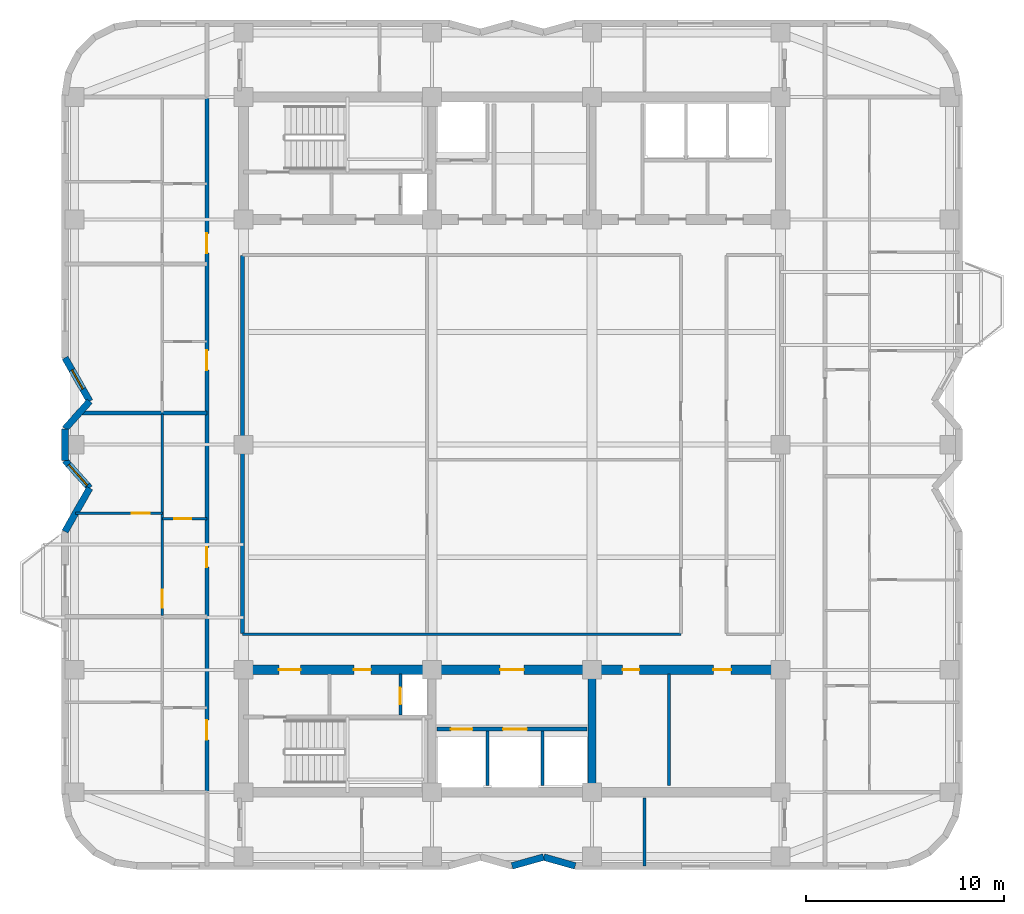
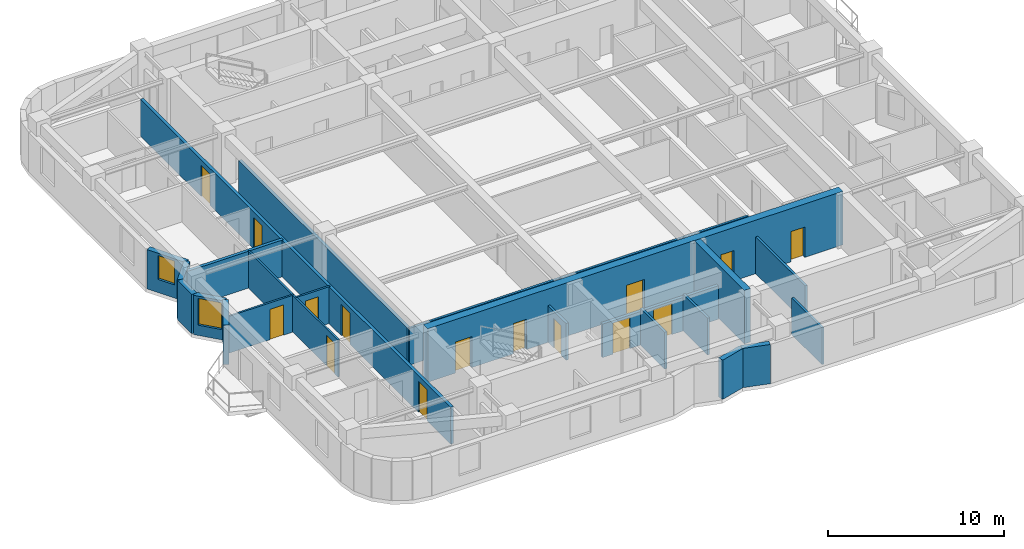
# One storey, part 3 of 9: 22 walls, 15 doors, 2 windows, 17 openings.
"""IFC4 building model written with IfcOpenShell, lengths in metres."""

from ifc_helpers import new_model, si_unit, direction, frame, frame_2d, origin, place, context, subcontext, project, spatial, rectangle, extrude, material, layer, layer_set, type_object, element, fill, save


model = new_model("IFC4")

# Units and contexts
model_context = context("Model", 3, precision=1e-05, world=origin(), true_north=direction((0.0, 1.0)))
body_context = subcontext(model_context, "Body", "Model", "MODEL_VIEW")
ifc_project = project(units=[si_unit("LENGTHUNIT", "METRE"), si_unit("AREAUNIT", "SQUARE_METRE"), si_unit("VOLUMEUNIT", "CUBIC_METRE"), si_unit("PLANEANGLEUNIT", "RADIAN"), si_unit("MASSUNIT", "GRAM", prefix="KILO")], contexts=[model_context])

# Site, building, storey
site_placement = place(None, origin())
site = spatial("IfcSite", under=ifc_project, at=site_placement, CompositionType="ELEMENT")
building_placement = place(site_placement, origin())
building = spatial("IfcBuilding", under=site, at=building_placement, Name="Svetorya Sky Lyceum", CompositionType="ELEMENT")
storey_placement = place(building_placement, frame((0.0, 0.0, 170.0)))
storey = spatial("IfcBuildingStorey", under=building, at=storey_placement, Name="L42", CompositionType="ELEMENT", Elevation=170.0)

# Wall
ifc_material_1 = material(Name="Concrete C40/50", Category="concrete")
ifc_layer_1 = layer(ifc_material_1, 0.39990234375)
ifc_layer_set_1 = layer_set([ifc_layer_1], Name="Concrete C40/50")
wall_type_1 = type_object("IfcWallType", Name="WL-CORE-400", PredefinedType="SHEAR", material=ifc_layer_set_1)
wall_1_placement = place(storey_placement, frame((43.25, 10.85009765625, 0.0), z_axis=(0.0, 0.0, 1.0), x_axis=(0.0, 1.0, 0.0)))
element("IfcWall", 1, at=wall_1_placement, inside=storey, type_object=wall_type_1, Name="L42 SC Internal Shear Web WEB2", PredefinedType="SHEAR", context=body_context, shape_type="SweptSolid", body=[
    extrude(rectangle(XDim=5.699951171875, YDim=0.39990234375, at=frame_2d((2.85009765625, 0.0))), origin(), (0.0, 0.0, 1.0), 3.699951171875),
])

# Wall, openings, doors
ifc_material_2 = material(Name="Concrete C50/60", Category="concrete")
ifc_layer_2 = layer(ifc_material_2, 0.5)
ifc_layer_set_2 = layer_set([ifc_layer_2], Name="Concrete C50/60")
wall_type_2 = type_object("IfcWallType", Name="WL-CORE-500", PredefinedType="SHEAR", material=ifc_layer_set_2)
wall_2_placement = place(storey_placement, frame((25.60009765625, 16.800048828125, 0.0), z_axis=(0.0, 0.0, 1.0), x_axis=(1.0, 0.0, 0.0)))
wall_2 = element("IfcWall", 2, at=wall_2_placement, inside=storey, type_object=wall_type_2, Name="L42 SC Inner Core Shear Wall", PredefinedType="SHEAR", context=body_context, shape_type="SweptSolid", body=[
    extrude(rectangle(XDim=27.199951171875, YDim=0.5, at=frame_2d((13.60009765625, 0.0))), origin(), (0.0, 0.0, 1.0), 3.699951171875),
])
opening_1_placement = place(wall_2_placement, frame((1.800048828125, 0.0, 0.0)))
opening_1 = element("IfcOpeningElement", 3, at=opening_1_placement, cuts=wall_2, Name="Opening D-ST1", PredefinedType="OPENING", context=body_context, shape_type="SweptSolid", body=[
    extrude(rectangle(XDim=1.10009765625, YDim=2.14990234375, at=frame_2d((0.550048828125, 1.074951171875))), frame((0.0, 0.260009765625, 0.0), z_axis=(0.0, -1.0, 0.0), x_axis=(1.0, 0.0, 0.0)), (0.0, 0.0, 1.0), 0.52001953125),
])
opening_2_placement = place(wall_2_placement, frame((5.60009765625, 0.0, 0.0)))
opening_2 = element("IfcOpeningElement", 4, at=opening_2_placement, cuts=wall_2, Name="Opening D-CWC1", PredefinedType="OPENING", context=body_context, shape_type="SweptSolid", body=[
    extrude(rectangle(XDim=0.85009765625, YDim=2.10009765625, at=frame_2d((0.425048828125, 1.050048828125))), frame((0.0, 0.260009765625, 0.0), z_axis=(0.0, -1.0, 0.0), x_axis=(1.0, 0.0, 0.0)), (0.0, 0.0, 1.0), 0.52001953125),
])
opening_3_placement = place(wall_2_placement, frame((13.0, 0.0, 0.0)))
opening_3 = element("IfcOpeningElement", 5, at=opening_3_placement, cuts=wall_2, Name="Opening D-FL1", PredefinedType="OPENING", context=body_context, shape_type="SweptSolid", body=[
    extrude(rectangle(XDim=1.199951171875, YDim=2.14990234375, at=frame_2d((0.60009765625, 1.074951171875))), frame((0.0, 0.260009765625, 0.0), z_axis=(0.0, -1.0, 0.0), x_axis=(1.0, 0.0, 0.0)), (0.0, 0.0, 1.0), 0.52001953125),
])
opening_4_placement = place(wall_2_placement, frame((19.199951171875, 0.0, 0.0)))
opening_4 = element("IfcOpeningElement", 6, at=opening_4_placement, cuts=wall_2, Name="Opening D-CWC1", PredefinedType="OPENING", context=body_context, shape_type="SweptSolid", body=[
    extrude(rectangle(XDim=0.85009765625, YDim=2.10009765625, at=frame_2d((0.425048828125, 1.050048828125))), frame((0.0, 0.260009765625, 0.0), z_axis=(0.0, -1.0, 0.0), x_axis=(1.0, 0.0, 0.0)), (0.0, 0.0, 1.0), 0.52001953125),
])
opening_5_placement = place(wall_2_placement, frame((23.800048828125, 0.0, 0.0)))
opening_5 = element("IfcOpeningElement", 7, at=opening_5_placement, cuts=wall_2, Name="Opening D-RM1", PredefinedType="OPENING", context=body_context, shape_type="SweptSolid", body=[
    extrude(rectangle(XDim=0.89990234375, YDim=2.10009765625, at=frame_2d((0.449951171875, 1.050048828125))), frame((0.0, 0.260009765625, 0.0), z_axis=(0.0, -1.0, 0.0), x_axis=(1.0, 0.0, 0.0)), (0.0, 0.0, 1.0), 0.52001953125),
])
ifc_material_3 = material(Name="Fire-rated galvanized steel core service closet door", Category="steel")
door_type_1 = type_object("IfcDoorType", Name="DR-CWET-850", OperationType="SINGLE_SWING_LEFT", PredefinedType="DOOR", material=ifc_material_3)
door_1_placement = place(opening_2_placement, origin())
door_1 = element("IfcDoor", 8, at=door_1_placement, inside=storey, type_object=door_type_1, Name="L42 South Hydrant Room Door", OperationType="SINGLE_SWING_LEFT", OverallHeight=2.10009765625, OverallWidth=0.85009765625, PredefinedType="DOOR", context=body_context, shape_type="SweptSolid", body=[
    extrude(rectangle(XDim=0.85009765625, YDim=2.10009765625, at=frame_2d((0.425048828125, 1.050048828125))), frame((0.0, 0.02490234375, 0.0), z_axis=(0.0, -1.0, 0.0), x_axis=(1.0, 0.0, 0.0)), (0.0, 0.0, 1.0), 0.050048828125),
])
fill(opening_2, door_1)
door_2_placement = place(opening_4_placement, origin())
door_2 = element("IfcDoor", 9, at=door_2_placement, inside=storey, type_object=door_type_1, Name="L42 Laundry Door", OperationType="SINGLE_SWING_RIGHT", OverallHeight=2.10009765625, OverallWidth=0.85009765625, PredefinedType="DOOR", context=body_context, shape_type="SweptSolid", body=[
    extrude(rectangle(XDim=0.85009765625, YDim=2.10009765625, at=frame_2d((0.425048828125, 1.050048828125))), frame((0.0, 0.02490234375, 0.0), z_axis=(0.0, -1.0, 0.0), x_axis=(1.0, 0.0, 0.0)), (0.0, 0.0, 1.0), 0.050048828125),
])
fill(opening_4, door_2)
ifc_material_4 = material(Name="Powder-coated insulated galvanized stair fire door")
door_type_2 = type_object("IfcDoorType", Name="DR-FIRE-1100", OperationType="SINGLE_SWING_LEFT", PredefinedType="DOOR", material=ifc_material_4)
door_3_placement = place(opening_1_placement, origin())
door_3 = element("IfcDoor", 10, at=door_3_placement, inside=storey, type_object=door_type_2, Name="L42 South Stair Airlock Door", OperationType="SINGLE_SWING_RIGHT", OverallHeight=2.14990234375, OverallWidth=1.10009765625, PredefinedType="DOOR", context=body_context, shape_type="SweptSolid", body=[
    extrude(rectangle(XDim=1.10009765625, YDim=2.14990234375, at=frame_2d((0.550048828125, 1.074951171875))), frame((0.0, 0.02490234375, 0.0), z_axis=(0.0, -1.0, 0.0), x_axis=(1.0, 0.0, 0.0)), (0.0, 0.0, 1.0), 0.050048828125),
])
fill(opening_1, door_3)
ifc_material_5 = material(Name="Powder-coated insulated galvanized fire door")
door_type_3 = type_object("IfcDoorType", Name="DR-FIRE-1200", OperationType="SINGLE_SWING_LEFT", PredefinedType="DOOR", material=ifc_material_5)
door_4_placement = place(opening_3_placement, origin())
door_4 = element("IfcDoor", 11, at=door_4_placement, inside=storey, type_object=door_type_3, Name="L42 South Firefighting Lift Lobby Door", OperationType="SINGLE_SWING_LEFT", OverallHeight=2.14990234375, OverallWidth=1.199951171875, PredefinedType="DOOR", context=body_context, shape_type="SweptSolid", body=[
    extrude(rectangle(XDim=1.199951171875, YDim=2.14990234375, at=frame_2d((0.60009765625, 1.074951171875))), frame((0.0, 0.02490234375, 0.0), z_axis=(0.0, -1.0, 0.0), x_axis=(1.0, 0.0, 0.0)), (0.0, 0.0, 1.0), 0.050048828125),
])
fill(opening_3, door_4)
ifc_material_6 = material(Name="Lacquered birch veneer internal door")
door_type_4 = type_object("IfcDoorType", Name="DR-INT-900", OperationType="SINGLE_SWING_LEFT", PredefinedType="DOOR", material=ifc_material_6)
door_5_placement = place(opening_5_placement, origin())
door_5 = element("IfcDoor", 12, at=door_5_placement, inside=storey, type_object=door_type_4, Name="L42 Pantry Door", OperationType="SINGLE_SWING_LEFT", OverallHeight=2.10009765625, OverallWidth=0.89990234375, PredefinedType="DOOR", context=body_context, shape_type="SweptSolid", body=[
    extrude(rectangle(XDim=0.89990234375, YDim=2.10009765625, at=frame_2d((0.449951171875, 1.050048828125))), frame((0.0, 0.02490234375, 0.0), z_axis=(0.0, -1.0, 0.0), x_axis=(1.0, 0.0, 0.0)), (0.0, 0.0, 1.0), 0.050048828125),
])
fill(opening_5, door_5)

# Walls
ifc_material_7 = material(Name="Putilovo limestone rainscreen on autoclaved cellular masonry", Category="masonry")
ifc_layer_3 = layer(ifc_material_7, 0.340087890625)
ifc_layer_set_3 = layer_set([ifc_layer_3], Name="Putilovo limestone rainscreen on autoclaved cellular masonry")
wall_type_3 = type_object("IfcWallType", Name="WL-EXT-340", PredefinedType="SOLIDWALL", material=ifc_layer_set_3)
wall_3_placement = place(storey_placement, frame((39.199951171875, 6.8701171875, 0.0), z_axis=(0.0, 0.0, 1.0), x_axis=(0.962662902433, 0.270703040766, 0.0)))
element("IfcWall", 13, at=wall_3_placement, inside=storey, type_object=wall_type_3, Name="L42 Limestone Exterior Wall 9M", PredefinedType="SOLIDWALL", context=body_context, shape_type="SweptSolid", body=[
    extrude(rectangle(XDim=1.662109375, YDim=0.340087890625, at=frame_2d((0.8310546875, 0.0))), origin(), (0.0, 0.0, 1.0), 2.719970703125),
])
wall_4_placement = place(storey_placement, frame((40.800048828125, 7.320068359375, 0.0), z_axis=(0.0, 0.0, 1.0), x_axis=(0.962652136636, -0.270741322725, 0.0)))
element("IfcWall", 14, at=wall_4_placement, inside=storey, type_object=wall_type_3, Name="L42 Limestone Exterior Wall 10M", PredefinedType="SOLIDWALL", context=body_context, shape_type="SweptSolid", body=[
    extrude(rectangle(XDim=1.661865234375, YDim=0.340087890625, at=frame_2d((0.8310546875, 0.0))), origin(), (0.0, 0.0, 1.0), 2.719970703125),
])

# Wall, opening, window
wall_5_placement = place(storey_placement, frame((16.570068359375, 32.60009765625, 0.0), z_axis=(0.0, 0.0, 1.0), x_axis=(0.493976255291, -0.869475393101, 0.0)))
wall_5 = element("IfcWall", 15, at=wall_5_placement, inside=storey, type_object=wall_type_3, Name="L42 Limestone Exterior Wall 41M", PredefinedType="SOLIDWALL", context=body_context, shape_type="SweptSolid", body=[
    extrude(rectangle(XDim=2.530517578125, YDim=0.340087890625, at=frame_2d((1.26513671875, 0.0))), origin(), (0.0, 0.0, 1.0), 2.719970703125),
])
opening_6_placement = place(wall_5_placement, frame((0.715087890625, 0.0, 0.909912109375)))
opening_6 = element("IfcOpeningElement", 16, at=opening_6_placement, cuts=wall_5, Name="Opening W-R3", PredefinedType="OPENING", context=body_context, shape_type="SweptSolid", body=[
    extrude(rectangle(XDim=1.10009765625, YDim=1.64990234375, at=frame_2d((0.550048828125, 0.824951171875))), frame((0.0, 0.179931640625, 0.0), z_axis=(0.0, -1.0, 0.0), x_axis=(1.0, 0.0, 0.0)), (0.0, 0.0, 1.0), 0.360107421875),
])
ifc_material_8 = material(Name="Thermally broken aluminium frame with triple low-E glazing", Category="aluminium")
window_type_1 = type_object("IfcWindowType", Name="WN-RES-110", PartitioningType="SINGLE_PANEL", PredefinedType="WINDOW", material=ifc_material_8)
window_1_placement = place(opening_6_placement, origin())
window_1 = element("IfcWindow", 17, at=window_1_placement, inside=storey, type_object=window_type_1, Name="L42 Facade Window W-R3.41M.1", OverallHeight=1.64990234375, OverallWidth=1.10009765625, PartitioningType="SINGLE_PANEL", PredefinedType="WINDOW", context=body_context, shape_type="SweptSolid", body=[
    extrude(rectangle(XDim=1.10009765625, YDim=1.64990234375, at=frame_2d((0.550048828125, 0.824951171875))), frame((0.0, 0.030029296875, 0.0), z_axis=(0.0, -1.0, 0.0), x_axis=(1.0, 0.0, 0.0)), (0.0, 0.0, 1.0), 0.06005859375),
])
fill(opening_6, window_1)

# Walls
wall_6_placement = place(storey_placement, frame((17.820068359375, 30.39990234375, 0.0), z_axis=(0.0, 0.0, 1.0), x_axis=(-0.666041619974, -0.74591457987, 0.0)))
element("IfcWall", 18, at=wall_6_placement, inside=storey, type_object=wall_type_3, Name="L42 Limestone Exterior Wall 42M", PredefinedType="SOLIDWALL", context=body_context, shape_type="SweptSolid", body=[
    extrude(rectangle(XDim=1.876708984375, YDim=0.340087890625, at=frame_2d((0.9384765625, 0.0))), origin(), (0.0, 0.0, 1.0), 2.719970703125),
])
wall_7_placement = place(storey_placement, frame((16.570068359375, 29.0, 0.0), z_axis=(0.0, 0.0, 1.0), x_axis=(0.0, -1.0, 0.0)))
element("IfcWall", 19, at=wall_7_placement, inside=storey, type_object=wall_type_3, Name="L42 Limestone Exterior Wall 43M", PredefinedType="SOLIDWALL", context=body_context, shape_type="SweptSolid", body=[
    extrude(rectangle(XDim=1.60009765625, YDim=0.340087890625, at=frame_2d((0.800048828125, 0.0))), origin(), (0.0, 0.0, 1.0), 2.719970703125),
])

# Wall, opening, window
wall_8_placement = place(storey_placement, frame((16.570068359375, 27.39990234375, 0.0), z_axis=(0.0, 0.0, 1.0), x_axis=(0.666041619974, -0.74591457987, 0.0)))
wall_8 = element("IfcWall", 20, at=wall_8_placement, inside=storey, type_object=wall_type_3, Name="L42 Limestone Exterior Wall 44M", PredefinedType="SOLIDWALL", context=body_context, shape_type="SweptSolid", body=[
    extrude(rectangle(XDim=1.876708984375, YDim=0.340087890625, at=frame_2d((0.9384765625, 0.0))), origin(), (0.0, 0.0, 1.0), 2.719970703125),
])
opening_7_placement = place(wall_8_placement, frame((0.280029296875, 0.0, 0.7099609375)))
opening_7 = element("IfcOpeningElement", 21, at=opening_7_placement, cuts=wall_8, Name="Opening W-R2", PredefinedType="OPENING", context=body_context, shape_type="SweptSolid", body=[
    extrude(rectangle(XDim=1.39990234375, YDim=1.85009765625, at=frame_2d((0.699951171875, 0.925048828125))), frame((0.0, 0.179931640625, 0.0), z_axis=(0.0, -1.0, 0.0), x_axis=(1.0, 0.0, 0.0)), (0.0, 0.0, 1.0), 0.360107421875),
])
window_type_2 = type_object("IfcWindowType", Name="WN-RES-140", PartitioningType="SINGLE_PANEL", PredefinedType="WINDOW", material=ifc_material_8)
window_2_placement = place(opening_7_placement, origin())
window_2 = element("IfcWindow", 22, at=window_2_placement, inside=storey, type_object=window_type_2, Name="L42 Facade Window W-R2.44M.1", OverallHeight=1.85009765625, OverallWidth=1.39990234375, PartitioningType="SINGLE_PANEL", PredefinedType="WINDOW", context=body_context, shape_type="SweptSolid", body=[
    extrude(rectangle(XDim=1.39990234375, YDim=1.85009765625, at=frame_2d((0.699951171875, 0.925048828125))), frame((0.0, 0.030029296875, 0.0), z_axis=(0.0, -1.0, 0.0), x_axis=(1.0, 0.0, 0.0)), (0.0, 0.0, 1.0), 0.06005859375),
])
fill(opening_7, window_2)

# Wall
wall_9_placement = place(storey_placement, frame((17.820068359375, 26.0, 0.0), z_axis=(0.0, 0.0, 1.0), x_axis=(-0.494017696272, -0.869451847873, 0.0)))
element("IfcWall", 23, at=wall_9_placement, inside=storey, type_object=wall_type_3, Name="L42 Limestone Exterior Wall 45M", PredefinedType="SOLIDWALL", context=body_context, shape_type="SweptSolid", body=[
    extrude(rectangle(XDim=2.5302734375, YDim=0.340087890625, at=frame_2d((1.26513671875, 0.0))), origin(), (0.0, 0.0, 1.0), 2.719970703125),
])

# Wall, opening, door
ifc_material_9 = material(Name="Twin-stud galvanized framing with double fireboard", Category="gypsum")
ifc_layer_4 = layer(ifc_material_9, 0.1201171875)
ifc_layer_set_4 = layer_set([ifc_layer_4], Name="Twin-stud galvanized framing with double fireboard")
wall_type_4 = type_object("IfcWallType", Name="WL-PART-120", PredefinedType="PARTITIONING", material=ifc_layer_set_4)
wall_10_placement = place(storey_placement, frame((21.5, 24.43994140625, 0.0), z_axis=(0.0, 0.0, 1.0), x_axis=(1.0, 0.0, 0.0)))
wall_10 = element("IfcWall", 24, at=wall_10_placement, inside=storey, type_object=wall_type_4, Name="L42 Interior Partition W2-WH1", PredefinedType="PARTITIONING", context=body_context, shape_type="SweptSolid", body=[
    extrude(rectangle(XDim=2.25, YDim=0.1201171875, at=frame_2d((1.125, 0.0))), origin(), (0.0, 0.0, 1.0), 2.550048828125),
])
opening_8_placement = place(wall_10_placement, frame((0.60009765625, 0.0, 0.0)))
opening_8 = element("IfcOpeningElement", 25, at=opening_8_placement, cuts=wall_10, Name="Opening D-BT1", PredefinedType="OPENING", context=body_context, shape_type="SweptSolid", body=[
    extrude(rectangle(XDim=0.85009765625, YDim=2.10009765625, at=frame_2d((0.425048828125, 1.050048828125))), frame((0.0, 0.070068359375, 0.0), z_axis=(0.0, -1.0, 0.0), x_axis=(1.0, 0.0, 0.0)), (0.0, 0.0, 1.0), 0.14013671875),
])
ifc_material_10 = material(Name="Moisture-resistant laminate bathroom door")
door_type_5 = type_object("IfcDoorType", Name="DR-WET-850", OperationType="SINGLE_SWING_LEFT", PredefinedType="DOOR", material=ifc_material_10)
door_6_placement = place(opening_8_placement, origin())
door_6 = element("IfcDoor", 26, at=door_6_placement, inside=storey, type_object=door_type_5, Name="Apartment W2 Bathroom Door", OperationType="SINGLE_SWING_RIGHT", OverallHeight=2.10009765625, OverallWidth=0.85009765625, PredefinedType="DOOR", context=body_context, shape_type="SweptSolid", body=[
    extrude(rectangle(XDim=0.85009765625, YDim=2.10009765625, at=frame_2d((0.425048828125, 1.050048828125))), frame((0.0, 0.02490234375, 0.0), z_axis=(0.0, -1.0, 0.0), x_axis=(1.0, 0.0, 0.0)), (0.0, 0.0, 1.0), 0.050048828125),
])
fill(opening_8, door_6)

wall_11_placement = place(storey_placement, frame((17.098388671875, 24.72998046875, 0.0), z_axis=(0.0, 0.0, 1.0), x_axis=(1.0, 0.0, 0.0)))
wall_11 = element("IfcWall", 27, at=wall_11_placement, inside=storey, type_object=wall_type_4, Name="L42 Interior Partition W2-WL1", PredefinedType="PARTITIONING", context=body_context, shape_type="SweptSolid", body=[
    extrude(rectangle(XDim=4.401611328125, YDim=0.1201171875, at=frame_2d((2.20068359375, 0.0))), origin(), (0.0, 0.0, 1.0), 2.550048828125),
])
opening_9_placement = place(wall_11_placement, frame((2.8515625, 0.0, 0.0)))
opening_9 = element("IfcOpeningElement", 28, at=opening_9_placement, cuts=wall_11, Name="Opening D-RM1", PredefinedType="OPENING", context=body_context, shape_type="SweptSolid", body=[
    extrude(rectangle(XDim=0.89990234375, YDim=2.10009765625, at=frame_2d((0.449951171875, 1.050048828125))), frame((0.0, 0.070068359375, 0.0), z_axis=(0.0, -1.0, 0.0), x_axis=(1.0, 0.0, 0.0)), (0.0, 0.0, 1.0), 0.14013671875),
])
door_7_placement = place(opening_9_placement, origin())
door_7 = element("IfcDoor", 29, at=door_7_placement, inside=storey, type_object=door_type_4, Name="Apartment W2 Bedroom 1 Door", OperationType="SINGLE_SWING_RIGHT", OverallHeight=2.10009765625, OverallWidth=0.89990234375, PredefinedType="DOOR", context=body_context, shape_type="SweptSolid", body=[
    extrude(rectangle(XDim=0.89990234375, YDim=2.10009765625, at=frame_2d((0.449951171875, 1.050048828125))), frame((0.0, 0.02490234375, 0.0), z_axis=(0.0, -1.0, 0.0), x_axis=(1.0, 0.0, 0.0)), (0.0, 0.0, 1.0), 0.050048828125),
])
fill(opening_9, door_7)

wall_12_placement = place(storey_placement, frame((21.5, 19.5400390625, 0.0), z_axis=(0.0, 0.0, 1.0), x_axis=(0.0, 1.0, 0.0)))
wall_12 = element("IfcWall", 30, at=wall_12_placement, inside=storey, type_object=wall_type_4, Name="L42 Interior Partition W2-WV", PredefinedType="PARTITIONING", context=body_context, shape_type="SweptSolid", body=[
    extrude(rectangle(XDim=10.219970703125, YDim=0.1201171875, at=frame_2d((5.10986328125, 0.0))), origin(), (0.0, 0.0, 1.0), 2.550048828125),
])
opening_10_placement = place(wall_12_placement, frame((0.409912109375, 0.0, 0.0)))
opening_10 = element("IfcOpeningElement", 31, at=opening_10_placement, cuts=wall_12, Name="Opening D-RM1", PredefinedType="OPENING", context=body_context, shape_type="SweptSolid", body=[
    extrude(rectangle(XDim=0.89990234375, YDim=2.10009765625, at=frame_2d((0.449951171875, 1.050048828125))), frame((0.0, 0.070068359375, 0.0), z_axis=(0.0, -1.0, 0.0), x_axis=(1.0, 0.0, 0.0)), (0.0, 0.0, 1.0), 0.14013671875),
])
door_8_placement = place(opening_10_placement, origin())
door_8 = element("IfcDoor", 32, at=door_8_placement, inside=storey, type_object=door_type_4, Name="Apartment W2 Living Door", OperationType="SINGLE_SWING_LEFT", OverallHeight=2.10009765625, OverallWidth=0.89990234375, PredefinedType="DOOR", context=body_context, shape_type="SweptSolid", body=[
    extrude(rectangle(XDim=0.89990234375, YDim=2.10009765625, at=frame_2d((0.449951171875, 1.050048828125))), frame((0.0, 0.02490234375, 0.0), z_axis=(0.0, -1.0, 0.0), x_axis=(1.0, 0.0, 0.0)), (0.0, 0.0, 1.0), 0.050048828125),
])
fill(opening_10, door_8)

ifc_material_11 = material(Name="Autoclaved cellular masonry blockwork with acoustic render", Category="masonry")
ifc_layer_5 = layer(ifc_material_11, 0.14990234375)
ifc_layer_set_5 = layer_set([ifc_layer_5], Name="Autoclaved cellular masonry blockwork with acoustic render")
wall_type_5 = type_object("IfcWallType", Name="WL-PART-150", PredefinedType="PARTITIONING", material=ifc_layer_set_5)
wall_13_placement = place(storey_placement, frame((33.550048828125, 14.5, 0.0), z_axis=(0.0, 0.0, 1.0), x_axis=(0.0, 1.0, 0.0)))
wall_13 = element("IfcWall", 33, at=wall_13_placement, inside=storey, type_object=wall_type_5, Name="L42 Interior Partition SC-SWD2", PredefinedType="PARTITIONING", context=body_context, shape_type="SweptSolid", body=[
    extrude(rectangle(XDim=2.080078125, YDim=0.14990234375, at=frame_2d((1.0400390625, 0.0))), origin(), (0.0, 0.0, 1.0), 2.550048828125),
])
opening_11_placement = place(wall_13_placement, frame((0.550048828125, 0.0, 0.0)))
opening_11 = element("IfcOpeningElement", 34, at=opening_11_placement, cuts=wall_13, Name="Opening D-SH1", PredefinedType="OPENING", context=body_context, shape_type="SweptSolid", body=[
    extrude(rectangle(XDim=0.85009765625, YDim=2.050048828125, at=frame_2d((0.425048828125, 1.02490234375))), frame((0.0, 0.0849609375, 0.0), z_axis=(0.0, -1.0, 0.0), x_axis=(1.0, 0.0, 0.0)), (0.0, 0.0, 1.0), 0.169921875),
])
ifc_material_12 = material(Name="Insulated galvanized riser inspection fire door")
door_type_6 = type_object("IfcDoorType", Name="DR-SHFT-850", OperationType="SINGLE_SWING_LEFT", PredefinedType="TRAPDOOR", material=ifc_material_12)
door_9_placement = place(opening_11_placement, origin())
door_9 = element("IfcDoor", 35, at=door_9_placement, inside=storey, type_object=door_type_6, Name="L42 South Riser Access Door", OperationType="SINGLE_SWING_RIGHT", OverallHeight=2.050048828125, OverallWidth=0.85009765625, PredefinedType="TRAPDOOR", context=body_context, shape_type="SweptSolid", body=[
    extrude(rectangle(XDim=0.85009765625, YDim=2.050048828125, at=frame_2d((0.425048828125, 1.02490234375))), frame((0.0, 0.02490234375, 0.0), z_axis=(0.0, -1.0, 0.0), x_axis=(1.0, 0.0, 0.0)), (0.0, 0.0, 1.0), 0.050048828125),
])
fill(opening_11, door_9)

# Walls
for number, where, z_axis, x_axis, name in (
    (36, (37.949951171875, 10.949951171875, 0.0), (0.0, 0.0, 1.0), (0.0, 1.0, 0.0), "L42 Interior Partition SC-SHD1"),
    (37, (40.75, 10.949951171875, 0.0), (0.0, 0.0, 1.0), (0.0, 1.0, 0.0), "L42 Interior Partition SC-SHD2"),
):
    element("IfcWall", number, at=place(storey_placement, frame(where, z_axis=z_axis, x_axis=x_axis)), inside=storey, type_object=wall_type_5, Name=name, PredefinedType="PARTITIONING", context=body_context, shape_type="SweptSolid", body=[
        extrude(rectangle(XDim=2.75, YDim=0.14990234375, at=frame_2d((1.375, 0.0))), origin(), (0.0, 0.0, 1.0), 2.550048828125),
    ])
wall_14_placement = place(storey_placement, frame((47.14990234375, 10.949951171875, 0.0), z_axis=(0.0, 0.0, 1.0), x_axis=(0.0, 1.0, 0.0)))
element("IfcWall", 38, at=wall_14_placement, inside=storey, type_object=wall_type_5, Name="L42 Interior Partition SC-LV7-VA", PredefinedType="PARTITIONING", context=body_context, shape_type="SweptSolid", body=[
    extrude(rectangle(XDim=5.630126953125, YDim=0.14990234375, at=frame_2d((2.81494140625, 0.0))), origin(), (0.0, 0.0, 1.0), 2.550048828125),
])
wall_15_placement = place(storey_placement, frame((25.550048828125, 18.60009765625, 0.0), z_axis=(0.0, 0.0, 1.0), x_axis=(1.0, 0.0, 0.0)))
element("IfcWall", 39, at=wall_15_placement, inside=storey, type_object=wall_type_5, Name="L42 Interior Partition OFF-CS-W", PredefinedType="PARTITIONING", context=body_context, shape_type="SweptSolid", body=[
    extrude(rectangle(XDim=22.199951171875, YDim=0.14990234375, at=frame_2d((11.10009765625, 0.0))), origin(), (0.0, 0.0, 1.0), 2.550048828125),
])
wall_16_placement = place(storey_placement, frame((45.89990234375, 6.8701171875, 0.0), z_axis=(0.0, 0.0, 1.0), x_axis=(0.0, 1.0, 0.0)))
element("IfcWall", 40, at=wall_16_placement, inside=storey, type_object=wall_type_5, Name="L42 Interior Partition S-D2", PredefinedType="PARTITIONING", context=body_context, shape_type="SweptSolid", body=[
    extrude(rectangle(XDim=3.429931640625, YDim=0.14990234375, at=frame_2d((1.71484375, 0.0))), origin(), (0.0, 0.0, 1.0), 2.550048828125),
])

# Wall, openings, doors
ifc_material_13 = material(Name="Autoclaved cellular masonry blockwork with gypsum plaster", Category="masonry")
ifc_layer_6 = layer(ifc_material_13, 0.199951171875)
ifc_layer_set_6 = layer_set([ifc_layer_6], Name="Autoclaved cellular masonry blockwork with gypsum plaster")
wall_type_6 = type_object("IfcWallType", Name="WL-PART-200", PredefinedType="PARTITIONING", material=ifc_layer_set_6)
wall_17_placement = place(storey_placement, frame((35.39990234375, 13.800048828125, 0.0), z_axis=(0.0, 0.0, 1.0), x_axis=(1.0, 0.0, 0.0)))
wall_17 = element("IfcWall", 41, at=wall_17_placement, inside=storey, type_object=wall_type_6, Name="L42 Interior Partition SC-FLW", PredefinedType="PARTITIONING", context=body_context, shape_type="SweptSolid", body=[
    extrude(rectangle(XDim=7.60009765625, YDim=0.199951171875, at=frame_2d((3.800048828125, 0.0))), origin(), (0.0, 0.0, 1.0), 2.320068359375),
])
opening_12_placement = place(wall_17_placement, frame((0.699951171875, 0.0, 0.0)))
opening_12 = element("IfcOpeningElement", 42, at=opening_12_placement, cuts=wall_17, Name="Opening LD-FL", PredefinedType="OPENING", context=body_context, shape_type="SweptSolid", body=[
    extrude(rectangle(XDim=1.10009765625, YDim=2.14990234375, at=frame_2d((0.550048828125, 1.074951171875))), frame((0.0, 0.10986328125, 0.0), z_axis=(0.0, -1.0, 0.0), x_axis=(1.0, 0.0, 0.0)), (0.0, 0.0, 1.0), 0.219970703125),
])
opening_13_placement = place(wall_17_placement, frame((3.35009765625, 0.0, 0.0)))
opening_13 = element("IfcOpeningElement", 43, at=opening_13_placement, cuts=wall_17, Name="Opening LD-SV", PredefinedType="OPENING", context=body_context, shape_type="SweptSolid", body=[
    extrude(rectangle(XDim=1.199951171875, YDim=2.14990234375, at=frame_2d((0.60009765625, 1.074951171875))), frame((0.0, 0.10986328125, 0.0), z_axis=(0.0, -1.0, 0.0), x_axis=(1.0, 0.0, 0.0)), (0.0, 0.0, 1.0), 0.219970703125),
])
ifc_material_14 = material(Name="Fire-rated stainless AISI 304 firefighting lift landing door")
door_type_7 = type_object("IfcDoorType", Name="DR-LIFT-1100", OperationType="SLIDING_TO_LEFT", PredefinedType="DOOR", material=ifc_material_14)
door_10_placement = place(opening_12_placement, origin())
door_10 = element("IfcDoor", 44, at=door_10_placement, inside=storey, type_object=door_type_7, Name="L42 Firefighting Lift FL2 Landing Door", OperationType="SLIDING_TO_LEFT", OverallHeight=2.14990234375, OverallWidth=1.10009765625, PredefinedType="DOOR", context=body_context, shape_type="SweptSolid", body=[
    extrude(rectangle(XDim=1.10009765625, YDim=2.14990234375, at=frame_2d((0.550048828125, 1.074951171875))), frame((0.0, 0.02490234375, 0.0), z_axis=(0.0, -1.0, 0.0), x_axis=(1.0, 0.0, 0.0)), (0.0, 0.0, 1.0), 0.050048828125),
])
fill(opening_12, door_10)
ifc_material_15 = material(Name="Brushed stainless AISI 304 telescopic lift landing door")
door_type_8 = type_object("IfcDoorType", Name="DR-LIFT-1200", OperationType="SLIDING_TO_LEFT", PredefinedType="DOOR", material=ifc_material_15)
door_11_placement = place(opening_13_placement, origin())
door_11 = element("IfcDoor", 45, at=door_11_placement, inside=storey, type_object=door_type_8, Name="L42 Service Lift SVL1 Landing Door", OperationType="SLIDING_TO_LEFT", OverallHeight=2.14990234375, OverallWidth=1.199951171875, PredefinedType="DOOR", context=body_context, shape_type="SweptSolid", body=[
    extrude(rectangle(XDim=1.199951171875, YDim=2.14990234375, at=frame_2d((0.60009765625, 1.074951171875))), frame((0.0, 0.02490234375, 0.0), z_axis=(0.0, -1.0, 0.0), x_axis=(1.0, 0.0, 0.0)), (0.0, 0.0, 1.0), 0.050048828125),
])
fill(opening_13, door_11)

# Walls
wall_18_placement = place(storey_placement, frame((25.550048828125, 18.6298828125, 0.0), z_axis=(0.0, 0.0, 1.0), x_axis=(0.0, 1.0, 0.0)))
element("IfcWall", 46, at=wall_18_placement, inside=storey, type_object=wall_type_6, Name="L42 Interior Partition W-CEN-SEP", PredefinedType="PARTITIONING", context=body_context, shape_type="SweptSolid", body=[
    extrude(rectangle(XDim=19.14013671875, YDim=0.199951171875, at=frame_2d((9.570068359375, 0.0))), origin(), (0.0, 0.0, 1.0), 2.550048828125),
])
wall_19_placement = place(storey_placement, frame((17.2841796875, 29.800048828125, 0.0), z_axis=(0.0, 0.0, 1.0), x_axis=(1.0, 0.0, 0.0)))
element("IfcWall", 47, at=wall_19_placement, inside=storey, type_object=wall_type_6, Name="L42 Interior Partition W-PARTY-2", PredefinedType="PARTITIONING", context=body_context, shape_type="SweptSolid", body=[
    extrude(rectangle(XDim=6.4658203125, YDim=0.199951171875, at=frame_2d((3.23291015625, 0.0))), origin(), (0.0, 0.0, 1.0), 2.550048828125),
])

# Wall, openings, doors
wall_20_placement = place(storey_placement, frame((23.75, 10.60009765625, 0.0), z_axis=(0.0, 0.0, 1.0), x_axis=(0.0, 1.0, 0.0)))
wall_20 = element("IfcWall", 48, at=wall_20_placement, inside=storey, type_object=wall_type_6, Name="L42 Interior Partition W-CORRW", PredefinedType="PARTITIONING", context=body_context, shape_type="SweptSolid", body=[
    extrude(rectangle(XDim=35.199951171875, YDim=0.199951171875, at=frame_2d((17.60009765625, 0.0))), origin(), (0.0, 0.0, 1.0), 2.550048828125),
])
opening_14_placement = place(wall_20_placement, frame((2.64990234375, 0.0, 0.0)))
opening_14 = element("IfcOpeningElement", 49, at=opening_14_placement, cuts=wall_20, Name="Opening D-APT1", PredefinedType="OPENING", context=body_context, shape_type="SweptSolid", body=[
    extrude(rectangle(XDim=1.0, YDim=2.14990234375, at=frame_2d((0.5, 1.074951171875))), frame((0.0, 0.10986328125, 0.0), z_axis=(0.0, -1.0, 0.0), x_axis=(1.0, 0.0, 0.0)), (0.0, 0.0, 1.0), 0.219970703125),
])
opening_15_placement = place(wall_20_placement, frame((11.39990234375, 0.0, 0.0)))
opening_15 = element("IfcOpeningElement", 50, at=opening_15_placement, cuts=wall_20, Name="Opening D-APT1", PredefinedType="OPENING", context=body_context, shape_type="SweptSolid", body=[
    extrude(rectangle(XDim=1.0, YDim=2.14990234375, at=frame_2d((0.5, 1.074951171875))), frame((0.0, 0.10986328125, 0.0), z_axis=(0.0, -1.0, 0.0), x_axis=(1.0, 0.0, 0.0)), (0.0, 0.0, 1.0), 0.219970703125),
])
opening_16_placement = place(wall_20_placement, frame((21.3701171875, 0.0, 0.0)))
opening_16 = element("IfcOpeningElement", 51, at=opening_16_placement, cuts=wall_20, Name="Opening D-APT1", PredefinedType="OPENING", context=body_context, shape_type="SweptSolid", body=[
    extrude(rectangle(XDim=1.0, YDim=2.14990234375, at=frame_2d((0.5, 1.074951171875))), frame((0.0, 0.10986328125, 0.0), z_axis=(0.0, -1.0, 0.0), x_axis=(1.0, 0.0, 0.0)), (0.0, 0.0, 1.0), 0.219970703125),
])
opening_17_placement = place(wall_20_placement, frame((27.302001953125, 0.0, 0.0)))
opening_17 = element("IfcOpeningElement", 52, at=opening_17_placement, cuts=wall_20, Name="Opening D-APT1", PredefinedType="OPENING", context=body_context, shape_type="SweptSolid", body=[
    extrude(rectangle(XDim=1.0, YDim=2.14990234375, at=frame_2d((0.5, 1.074951171875))), frame((0.0, 0.10986328125, 0.0), z_axis=(0.0, -1.0, 0.0), x_axis=(1.0, 0.0, 0.0)), (0.0, 0.0, 1.0), 0.219970703125),
])
ifc_material_16 = material(Name="Insulated oak-veneered apartment entrance door")
door_type_9 = type_object("IfcDoorType", Name="DR-APT-1000", OperationType="SINGLE_SWING_LEFT", PredefinedType="DOOR", material=ifc_material_16)
door_12_placement = place(opening_14_placement, origin())
door_12 = element("IfcDoor", 53, at=door_12_placement, inside=storey, type_object=door_type_9, Name="L42 Apartment W1 Entrance Door", OperationType="SINGLE_SWING_LEFT", OverallHeight=2.14990234375, OverallWidth=1.0, PredefinedType="DOOR", context=body_context, shape_type="SweptSolid", body=[
    extrude(rectangle(XDim=1.0, YDim=2.14990234375, at=frame_2d((0.5, 1.074951171875))), frame((0.0, 0.02490234375, 0.0), z_axis=(0.0, -1.0, 0.0), x_axis=(1.0, 0.0, 0.0)), (0.0, 0.0, 1.0), 0.050048828125),
])
fill(opening_14, door_12)
door_13_placement = place(opening_15_placement, origin())
door_13 = element("IfcDoor", 54, at=door_13_placement, inside=storey, type_object=door_type_9, Name="L42 Apartment W2 Entrance Door", OperationType="SINGLE_SWING_RIGHT", OverallHeight=2.14990234375, OverallWidth=1.0, PredefinedType="DOOR", context=body_context, shape_type="SweptSolid", body=[
    extrude(rectangle(XDim=1.0, YDim=2.14990234375, at=frame_2d((0.5, 1.074951171875))), frame((0.0, 0.02490234375, 0.0), z_axis=(0.0, -1.0, 0.0), x_axis=(1.0, 0.0, 0.0)), (0.0, 0.0, 1.0), 0.050048828125),
])
fill(opening_15, door_13)
door_14_placement = place(opening_16_placement, origin())
door_14 = element("IfcDoor", 55, at=door_14_placement, inside=storey, type_object=door_type_9, Name="L42 Apartment W3 Entrance Door", OperationType="SINGLE_SWING_LEFT", OverallHeight=2.14990234375, OverallWidth=1.0, PredefinedType="DOOR", context=body_context, shape_type="SweptSolid", body=[
    extrude(rectangle(XDim=1.0, YDim=2.14990234375, at=frame_2d((0.5, 1.074951171875))), frame((0.0, 0.02490234375, 0.0), z_axis=(0.0, -1.0, 0.0), x_axis=(1.0, 0.0, 0.0)), (0.0, 0.0, 1.0), 0.050048828125),
])
fill(opening_16, door_14)
door_15_placement = place(opening_17_placement, origin())
door_15 = element("IfcDoor", 56, at=door_15_placement, inside=storey, type_object=door_type_9, Name="L42 Apartment W4 Entrance Door", OperationType="SINGLE_SWING_RIGHT", OverallHeight=2.14990234375, OverallWidth=1.0, PredefinedType="DOOR", context=body_context, shape_type="SweptSolid", body=[
    extrude(rectangle(XDim=1.0, YDim=2.14990234375, at=frame_2d((0.5, 1.074951171875))), frame((0.0, 0.02490234375, 0.0), z_axis=(0.0, -1.0, 0.0), x_axis=(1.0, 0.0, 0.0)), (0.0, 0.0, 1.0), 0.050048828125),
])
fill(opening_17, door_15)

save(model, "model.ifc")
